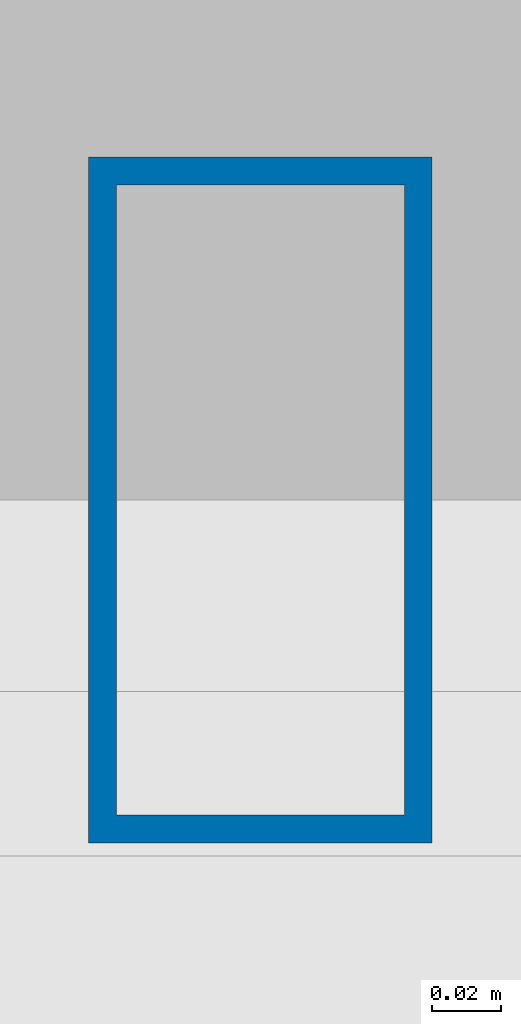
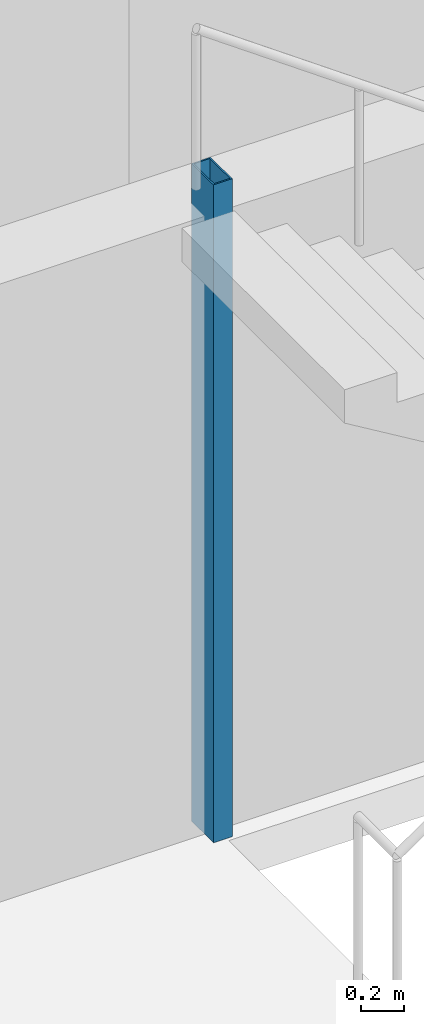
# One storey, part 2 of 18: 1 column.
"""IFC4 building model written with IfcOpenShell, lengths in metres."""

import ifcopenshell
import ifcopenshell.guid

model = None  # the IFC model being written
_history = None  # IfcOwnerHistory: only IFC2X3 demands one
_inside = {}  # id of a spatial element -> (the spatial element, [elements in it])
_under = {}  # id of a project, library or spatial element -> (it, [spatial elements below it])
_declared = {}  # id of a project -> (the project, [libraries it declares])
_typed = {}  # id of a type object -> (the type object, [elements of that type])
_made_of = {}  # id of a material, layer set ... -> (it, [elements and type objects made of it])


def new_model(schema):
    """Start an empty IFC model of exactly this schema.

    Asked for "IFC4X3", IfcOpenShell would pick the latest addendum, in which some entities
    have other attributes; the version numbers below select the first issue.
    IFC2X3 requires an IfcOwnerHistory on every rooted entity: one is made here for all.
    """
    global model, _history
    if schema == "IFC4X3":
        model = ifcopenshell.file(schema_version=(4, 3, 0, 0))
    else:
        model = ifcopenshell.file(schema=schema)
    _inside.clear()
    _under.clear()
    _declared.clear()
    _typed.clear()
    _made_of.clear()
    _history = None
    if model.schema == "IFC2X3":
        org = make("IfcOrganization", Name="unknown")
        user = make(
            "IfcPersonAndOrganization",
            ThePerson=make("IfcPerson", FamilyName="unknown"),
            TheOrganization=org,
        )
        app = make(
            "IfcApplication",
            ApplicationDeveloper=org,
            Version="unknown",
            ApplicationFullName="unknown",
            ApplicationIdentifier="unknown",
        )
        _history = make(
            "IfcOwnerHistory",
            OwningUser=user,
            OwningApplication=app,
            ChangeAction="ADDED",
            CreationDate=0,
        )
    return model


def make(cls, **values):
    """One entity of the class cls with the attributes given. An attribute that is None is left unset."""
    return model.create_entity(
        cls, **{name: value for name, value in values.items() if value is not None}
    )


def rooted(cls, **values):
    """An entity with a GlobalId (a new one), such as an element, a storey or a relation."""
    return make(cls, GlobalId=ifcopenshell.guid.new(), OwnerHistory=_history, **values)


def si_unit(unit_type, name, prefix=None):
    """IfcSIUnit, for example si_unit("LENGTHUNIT", "METRE", prefix="MILLI")."""
    return make("IfcSIUnit", UnitType=unit_type, Prefix=prefix, Name=name)


def assignment(units):
    """IfcUnitAssignment: the units of a project."""
    return None if units is None else make("IfcUnitAssignment", Units=units)


def point(xyz):
    """IfcCartesianPoint."""
    return None if xyz is None else make("IfcCartesianPoint", Coordinates=xyz)


def direction(xyz):
    """IfcDirection."""
    return None if xyz is None else make("IfcDirection", DirectionRatios=xyz)


def frame(location, z_axis=None, x_axis=None):
    """IfcAxis2Placement3D, a coordinate frame: its origin and axes. An axis left out is left unset."""
    return make(
        "IfcAxis2Placement3D",
        Location=point(location),
        Axis=direction(z_axis),
        RefDirection=direction(x_axis),
    )


def frame_2d(location, x_axis=None):
    """IfcAxis2Placement2D, a coordinate frame in the plane: its origin and x axis."""
    return make(
        "IfcAxis2Placement2D", Location=point(location), RefDirection=direction(x_axis)
    )


def origin():
    """The frame at (0, 0, 0) with its axes left unset."""
    return frame((0.0, 0.0, 0.0))


def origin_2d():
    """The frame at (0, 0) in the plane with its x axis left unset."""
    return frame_2d((0.0, 0.0))


def place(relative_to, where):
    """IfcLocalPlacement: puts the frame where relative to a parent placement (None: the world)."""
    return make(
        "IfcLocalPlacement", PlacementRelTo=relative_to, RelativePlacement=where
    )


def context(
    kind, dimensions, precision=None, world=None, true_north=None, identifier=None
):
    """IfcGeometricRepresentationContext, for example the 3D "Model" context."""
    return make(
        "IfcGeometricRepresentationContext",
        ContextIdentifier=identifier,
        ContextType=kind,
        CoordinateSpaceDimension=dimensions,
        Precision=precision,
        WorldCoordinateSystem=world,
        TrueNorth=true_north,
    )


def subcontext(parent, identifier, kind, view, scale=None):
    """IfcGeometricRepresentationSubContext, for example "Body" below "Model"."""
    return make(
        "IfcGeometricRepresentationSubContext",
        ContextIdentifier=identifier,
        ContextType=kind,
        ParentContext=parent,
        TargetScale=scale,
        TargetView=view,
    )


def project(units=None, contexts=None):
    """IfcProject with its units and contexts."""
    return rooted(
        "IfcProject",
        Name="project",
        RepresentationContexts=contexts,
        UnitsInContext=assignment(units),
    )


def spatial(cls, under=None, at=None, **own):
    """A site, building, storey or space (cls), placed at a placement, below another one or the project."""
    s = rooted(cls, ObjectPlacement=at, **own)
    if under is not None:
        _under.setdefault(under.id(), (under, []))[1].append(s)
    return s


def profile(cls, at=None, kind="AREA", **sizes):
    """A parametric profile (cls). Its sizes go by their IFC names, for example OverallWidth=200.0."""
    return make(cls, ProfileType=kind, Position=at, **sizes)


def hollow_rectangle(**sizes):
    """IfcRectangleHollowProfileDef."""
    return profile("IfcRectangleHollowProfileDef", **sizes)


def extrude(swept, where, along, depth):
    """IfcExtrudedAreaSolid: the profile swept, set in the frame where, extruded along a direction by depth."""
    return make(
        "IfcExtrudedAreaSolid",
        SweptArea=swept,
        Position=where,
        ExtrudedDirection=direction(along),
        Depth=depth,
    )


def shape(context_of_items, identifier, shape_type, items):
    """IfcShapeRepresentation: the items that make up one representation, for example the "Body"."""
    return make(
        "IfcShapeRepresentation",
        ContextOfItems=context_of_items,
        RepresentationIdentifier=identifier,
        RepresentationType=shape_type,
        Items=items,
    )


def material(Name=None, Category=None):
    """IfcMaterial."""
    return make("IfcMaterial", Name=Name, Category=Category)


def material_profile(
    of_material, cross_section, Name=None, Category=None, Priority=None
):
    """IfcMaterialProfile: a cross section and its material."""
    return make(
        "IfcMaterialProfile",
        Name=Name,
        Material=of_material,
        Profile=cross_section,
        Priority=Priority,
        Category=Category,
    )


def profile_set(profiles, Name=None, composite=None):
    """IfcMaterialProfileSet."""
    return make(
        "IfcMaterialProfileSet",
        Name=Name,
        MaterialProfiles=profiles,
        CompositeProfile=composite,
    )


def made_of(thing, what):
    """Note that an element or type object is made of a material, layer set ...; save() writes the relation."""
    if what is not None:
        _made_of.setdefault(what.id(), (what, []))[1].append(thing)
    return thing


def type_object(cls, material=None, **own):
    """A type object (cls), such as IfcWallType, which elements share."""
    return made_of(rooted(cls, **own), material)


def element(
    cls,
    number,
    at=None,
    inside=None,
    cuts=None,
    type_object=None,
    material=None,
    context=None,
    identifier="Body",
    shape_type=None,
    held_by="IfcProductDefinitionShape",
    body=None,
    shapes=None,
    **own,
):
    """One element of the class cls, such as IfcWall. Its Tag is "e" and its number.

    at: its placement. inside: the storey or other place that contains it. cuts: it is an
    opening in that element (IfcRelVoidsElement). A single representation is given by context,
    identifier, shape_type and body (its items); several are given by shapes. held_by: the class
    of the entity that holds the representations. save() writes the other relations.
    """
    e = rooted(cls, Tag="e%d" % number, ObjectPlacement=at, **own)
    if body is not None:
        shapes = [shape(context, identifier, shape_type, body)]
    if shapes is not None:
        e.Representation = make(held_by, Representations=shapes)
    if inside is not None:
        _inside.setdefault(inside.id(), (inside, []))[1].append(e)
    if cuts is not None:
        rooted(
            "IfcRelVoidsElement", RelatingBuildingElement=cuts, RelatedOpeningElement=e
        )
    if type_object is not None:
        _typed.setdefault(type_object.id(), (type_object, []))[1].append(e)
    return made_of(e, material)


def aggregate(whole, parts):
    """IfcRelAggregates: a whole, such as a stair, and the parts it consists of."""
    return rooted("IfcRelAggregates", RelatingObject=whole, RelatedObjects=parts)


def save(model, path):
    """Write the relations noted so far, then the file.

    IfcRelAggregates (storeys below a building ...), IfcRelContainedInSpatialStructure (elements
    in a storey), IfcRelDefinesByType, IfcRelAssociatesMaterial and IfcRelDeclares: one each for
    every whole, place, type object, material and project.
    """
    for whole, parts in _under.values():
        aggregate(whole, parts)
    for where, things in _inside.values():
        rooted(
            "IfcRelContainedInSpatialStructure",
            RelatedElements=things,
            RelatingStructure=where,
        )
    for kind, things in _typed.values():
        rooted("IfcRelDefinesByType", RelatedObjects=things, RelatingType=kind)
    for what, things in _made_of.values():
        rooted("IfcRelAssociatesMaterial", RelatedObjects=things, RelatingMaterial=what)
    for by, libraries in _declared.values():
        rooted("IfcRelDeclares", RelatingContext=by, RelatedDefinitions=libraries)
    model.write(path)


model = new_model("IFC4")

# Units and contexts
model_context = context("Model", 3, precision=1e-05, world=origin(), true_north=direction((0.0, 1.0)))
body_context = subcontext(model_context, "Body", "Model", "MODEL_VIEW")
ifc_project = project(units=[si_unit("LENGTHUNIT", "METRE"), si_unit("AREAUNIT", "SQUARE_METRE"), si_unit("VOLUMEUNIT", "CUBIC_METRE"), si_unit("PLANEANGLEUNIT", "RADIAN"), si_unit("MASSUNIT", "GRAM", prefix="KILO")], contexts=[model_context])

# Site, building, storey
site_placement = place(None, origin())
site = spatial("IfcSite", under=ifc_project, at=site_placement, CompositionType="ELEMENT")
building_placement = place(site_placement, origin())
building = spatial("IfcBuilding", under=site, at=building_placement, Name="Menara Jurai Vektor", CompositionType="ELEMENT")
storey_placement = place(building_placement, frame((0.0, 0.0, 128.10009765625)))
storey = spatial("IfcBuildingStorey", under=building, at=storey_placement, Name="L32", CompositionType="ELEMENT", Elevation=128.10009765625)

# Column
ifc_material = material(Name="Steel S355", Category="steel")
ifc_material_profile = material_profile(ifc_material, hollow_rectangle(XDim=0.10009765625, YDim=0.199951171875, WallThickness=0.008056640625, at=origin_2d()), Name="RHS 200x100x8")
ifc_profile_set = profile_set([ifc_material_profile], Name="Steel S355")
column_type = type_object("IfcColumnType", Name="STR-COL-STAIR", PredefinedType="COLUMN", material=ifc_profile_set)
column_placement = place(storey_placement, frame((-11.1201171875, 5.419921875, 0.0), z_axis=(0.0, 0.0, 1.0), x_axis=(1.0, 0.0, 0.0)))
element("IfcColumn", 1, at=column_placement, inside=storey, type_object=column_type, Name="Stair Well Header Column ST1-P2 L32", PredefinedType="COLUMN", context=body_context, shape_type="SweptSolid", body=[
    extrude(hollow_rectangle(XDim=0.10009765625, YDim=0.199951171875, WallThickness=0.008056640625, at=origin_2d()), origin(), (0.0, 0.0, 1.0), 3.699951171875),
])

save(model, "model.ifc")
